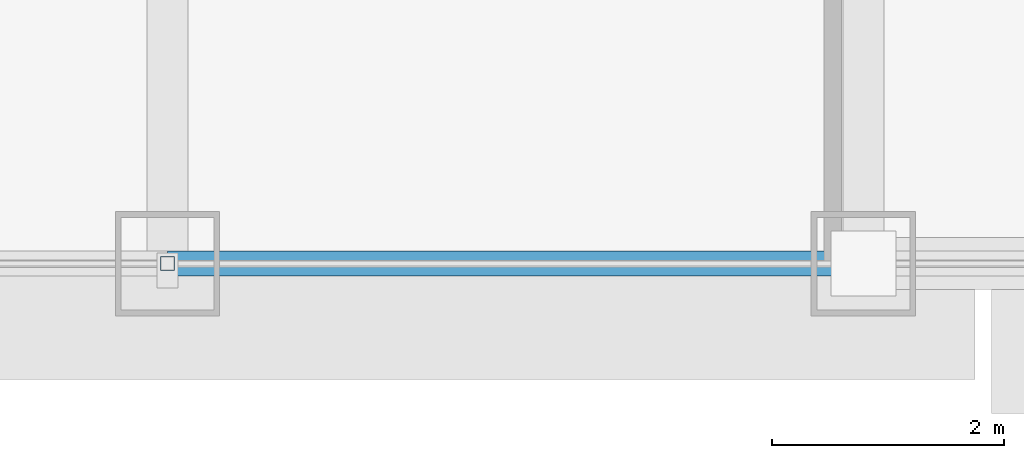
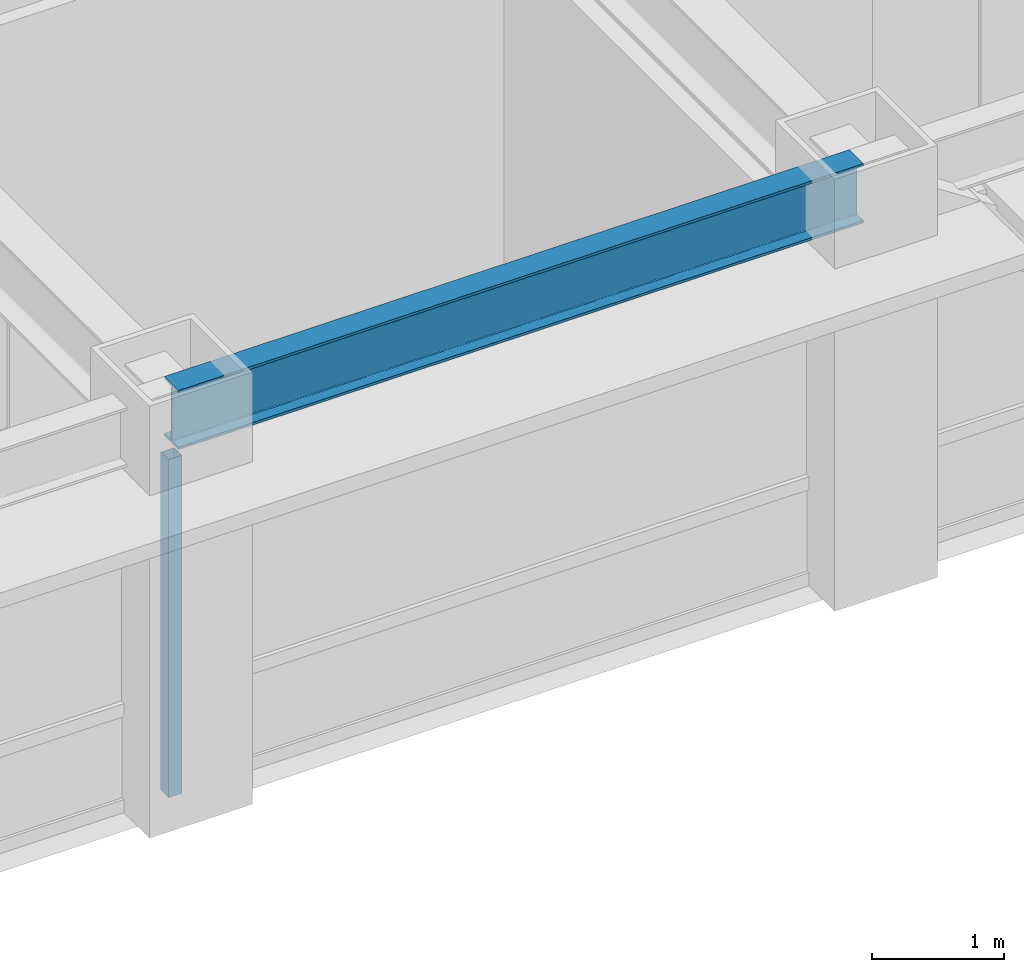
# One storey, part 4 of 29: 1 beam, 1 member, 1 element without a shape of its own.
"""IFC4 building model written with IfcOpenShell, lengths in metres."""

from ifc_helpers import new_model, si_unit, direction, frame, origin, origin_2d, place, context, subcontext, project, spatial, hollow_rectangle, i_section, extrude, source, transform, mapped, material, material_profile, profile_set, type_object, element, aggregate, save


model = new_model("IFC4")

# Units and contexts
model_context = context("Model", 3, precision=1e-05, world=origin(), true_north=direction((0.0, 1.0)))
body_context = subcontext(model_context, "Body", "Model", "MODEL_VIEW")
ifc_project = project(units=[si_unit("LENGTHUNIT", "METRE"), si_unit("AREAUNIT", "SQUARE_METRE"), si_unit("VOLUMEUNIT", "CUBIC_METRE"), si_unit("PLANEANGLEUNIT", "RADIAN"), si_unit("MASSUNIT", "GRAM", prefix="KILO")], contexts=[model_context])

# Site, building, storey
site_placement = place(None, origin())
site = spatial("IfcSite", under=ifc_project, at=site_placement, CompositionType="ELEMENT")
building_placement = place(site_placement, origin())
building = spatial("IfcBuilding", under=site, at=building_placement, Name="Khorayat Bourse Tower", CompositionType="ELEMENT")
storey_placement = place(building_placement, frame((0.0, 0.0, 277.5)))
storey = spatial("IfcBuildingStorey", under=building, at=storey_placement, Name="L65", CompositionType="ELEMENT", Elevation=277.5)

# Beam
ifc_material_1 = material(Name="Steel ASTM A992 Grade 50", Category="steel")
ifc_material_profile_1 = material_profile(ifc_material_1, i_section(OverallWidth=0.214111328125, OverallDepth=0.549072265625, WebThickness=0.0146484375, FlangeThickness=0.023681640625, FilletRadius=0.013916015625, at=origin_2d()), Name="W530X138")
ifc_profile_set_1 = profile_set([ifc_material_profile_1], Name="Steel ASTM A992 Grade 50")
beam_type = type_object("IfcBeamType", Name="BM-SPAN-530", PredefinedType="SPANDREL", material=ifc_profile_set_1)
shared_shape_1 = source(origin(), body_context, "Body", "SweptSolid", [
    extrude(i_section(OverallWidth=0.214111328125, OverallDepth=0.549072265625, WebThickness=0.0146484375, FlangeThickness=0.023681640625, FilletRadius=0.013916015625, at=origin_2d()), origin(), (0.0, 0.0, 1.0), 6.0),
])
beam_placement = place(storey_placement, frame((0.0, -28.0, 3.505615234375), z_axis=(1.0, 0.0, 0.0), x_axis=(0.0, 1.0, 0.0)))
element("IfcBeam", 1, at=beam_placement, inside=storey, type_object=beam_type, Name="L65 BM-SPAN-530 BM-L65-SPN-028", PredefinedType="SPANDREL", context=body_context, shape_type="MappedRepresentation", body=[
    mapped(shared_shape_1, transform((0.0, 0.0, 0.0), scale=1.0)),
])

# Curtain wall, member
ifc_material_2 = material(Name="Aluminium EN AW-6063 T6", Category="aluminium")
curtain_wall_type = type_object("IfcCurtainWallType", Name="CW-SYS-04", PredefinedType="NOTDEFINED", material=ifc_material_2)
curtain_wall_placement = place(storey_placement, origin())
curtain_wall = element("IfcCurtainWall", 2, at=curtain_wall_placement, inside=storey, type_object=curtain_wall_type, Name="L65 Curtain Wall CW-L65-S1", PredefinedType="NOTDEFINED")
ifc_material_profile_2 = material_profile(ifc_material_2, hollow_rectangle(XDim=0.1201171875, YDim=0.1201171875, WallThickness=0.0048828125, at=origin_2d()), Name="ALU 120x120x5")
ifc_profile_set_2 = profile_set([ifc_material_profile_2], Name="Aluminium EN AW-6063 T6")
member_type = type_object("IfcMemberType", Name="CWM-VERT-120", PredefinedType="MULLION", material=ifc_profile_set_2)
shared_shape_2 = source(origin(), body_context, "Body", "SweptSolid", [
    extrude(hollow_rectangle(XDim=0.1201171875, YDim=0.1201171875, WallThickness=0.0048828125, at=origin_2d()), origin(), (0.0, 0.0, 1.0), 3.1298828125),
])
member_placement = place(storey_placement, frame((0.0, -28.0, 0.0), z_axis=(0.0, 0.0, 1.0), x_axis=(0.0, 1.0, 0.0)))
member = element("IfcMember", 3, at=member_placement, type_object=member_type, Name="CW-L65-S1 Vertical Mullion 2", PredefinedType="MULLION", context=body_context, shape_type="MappedRepresentation", body=[
    mapped(shared_shape_2, transform((0.0, 0.0, 0.0), scale=1.0)),
])
aggregate(curtain_wall, [member])

save(model, "model.ifc")
